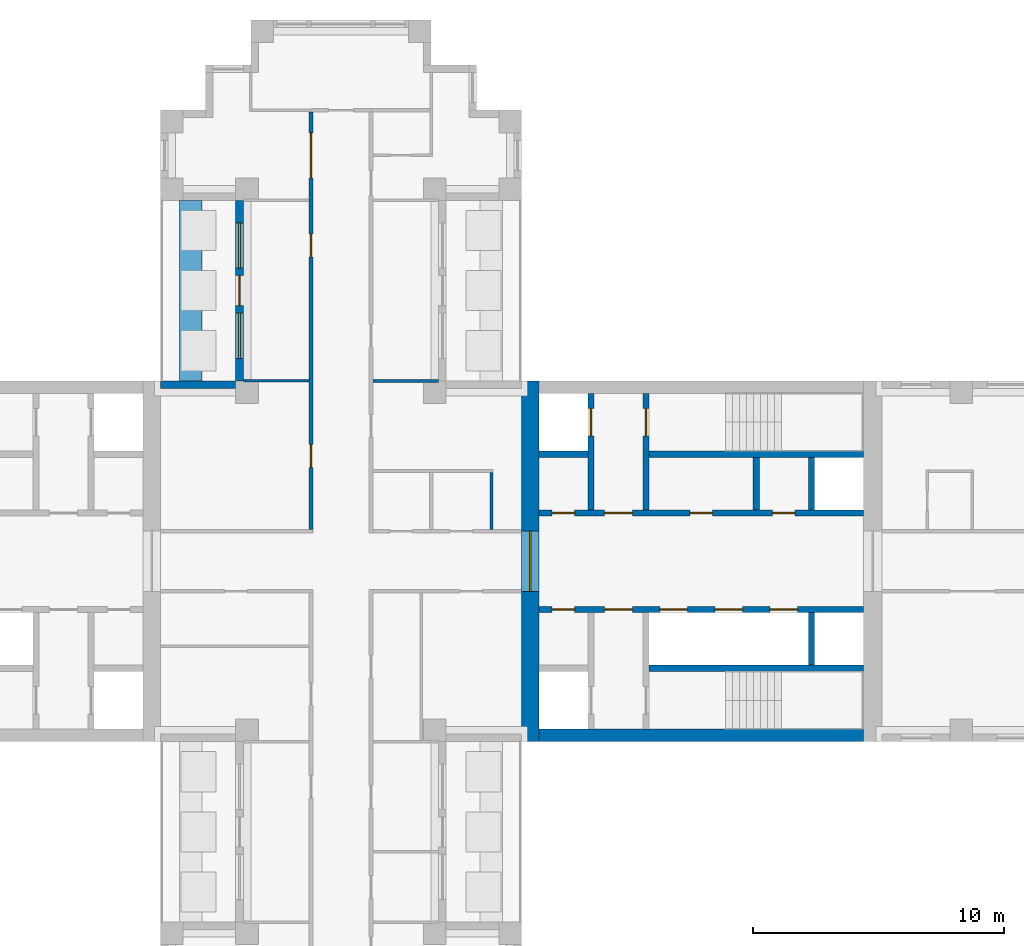
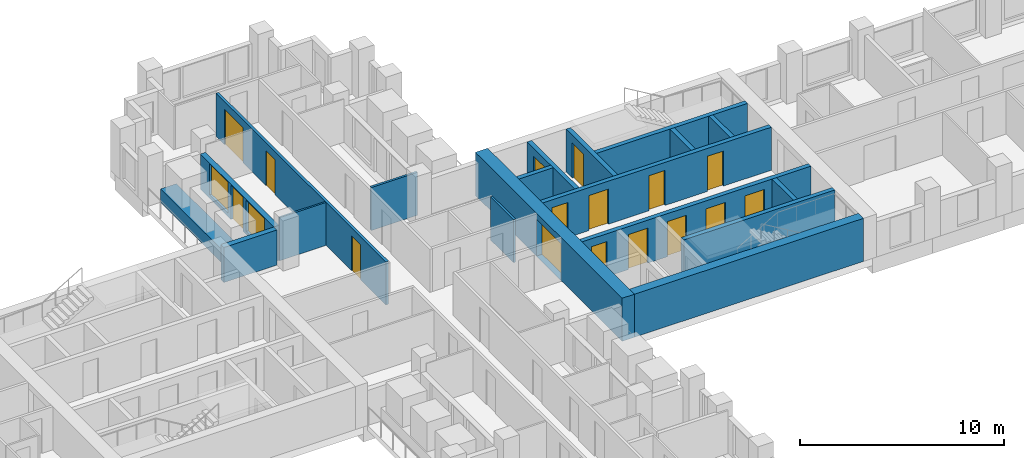
# One storey, part 8 of 13: 19 walls, 16 doors, 2 windows, 18 openings.
"""IFC4 building model written with IfcOpenShell, lengths in metres."""

from ifc_helpers import new_model, si_unit, direction, frame, frame_2d, origin, place, context, subcontext, project, spatial, rectangle, extrude, material, layer, layer_set, type_object, element, fill, save


model = new_model("IFC4")

# Units and contexts
model_context = context("Model", 3, precision=1e-05, world=origin(), true_north=direction((0.0, 1.0)))
body_context = subcontext(model_context, "Body", "Model", "MODEL_VIEW")
ifc_project = project(units=[si_unit("LENGTHUNIT", "METRE"), si_unit("AREAUNIT", "SQUARE_METRE"), si_unit("VOLUMEUNIT", "CUBIC_METRE"), si_unit("PLANEANGLEUNIT", "RADIAN"), si_unit("MASSUNIT", "GRAM", prefix="KILO")], contexts=[model_context])

# Site, building, storey
site_placement = place(None, origin())
site = spatial("IfcSite", under=ifc_project, at=site_placement, CompositionType="ELEMENT")
building_placement = place(site_placement, origin())
building = spatial("IfcBuilding", under=site, at=building_placement, Name="Fustian Cross Tower", CompositionType="ELEMENT")
storey_placement = place(building_placement, frame((0.0, 0.0, 84.89990234375)))
storey = spatial("IfcBuildingStorey", under=building, at=storey_placement, Name="L26", CompositionType="ELEMENT", Elevation=84.89990234375)

# Wall, openings, doors
ifc_material_1 = material(Name="Plasterboard on steel stud", Category="steel")
ifc_layer_1 = layer(ifc_material_1, 0.14990234375)
ifc_layer_set_1 = layer_set([ifc_layer_1], Name="Plasterboard on steel stud")
wall_type_1 = type_object("IfcWallType", Name="COMPARTMENT WALL 150 EI 60", PredefinedType="PARTITIONING", material=ifc_layer_set_1)
wall_1_placement = place(storey_placement, frame((-1.199951171875, 1.27490234375, 0.0), z_axis=(0.0, 0.0, 1.0), x_axis=(0.0, 1.0, 0.0)))
wall_1 = element("IfcWall", 1, at=wall_1_placement, inside=storey, type_object=wall_type_1, Name="Partition 39", PredefinedType="PARTITIONING", context=body_context, shape_type="SweptSolid", body=[
    extrude(rectangle(XDim=16.650146484375, YDim=0.14990234375, at=frame_2d((8.3251953125, 0.0))), origin(), (0.0, 0.0, 1.0), 2.5751953125),
])
opening_1_placement = place(wall_1_placement, frame((2.47509765625, 0.0, 0.0)))
opening_1 = element("IfcOpeningElement", 2, at=opening_1_placement, cuts=wall_1, Name="Opening D13004", PredefinedType="OPENING", context=body_context, shape_type="SweptSolid", body=[
    extrude(rectangle(XDim=0.89990234375, YDim=2.10009765625, at=frame_2d((0.449951171875, 1.050048828125))), frame((0.0, 0.0849609375, 0.0), z_axis=(0.0, -1.0, 0.0), x_axis=(1.0, 0.0, 0.0)), (0.0, 0.0, 1.0), 0.169921875),
])
opening_2_placement = place(wall_1_placement, frame((10.875, 0.0, 0.0)))
opening_2 = element("IfcOpeningElement", 3, at=opening_2_placement, cuts=wall_1, Name="Opening D13018", PredefinedType="OPENING", context=body_context, shape_type="SweptSolid", body=[
    extrude(rectangle(XDim=0.89990234375, YDim=2.10009765625, at=frame_2d((0.449951171875, 1.050048828125))), frame((0.0, 0.0849609375, 0.0), z_axis=(0.0, -1.0, 0.0), x_axis=(1.0, 0.0, 0.0)), (0.0, 0.0, 1.0), 0.169921875),
])
opening_3_placement = place(wall_1_placement, frame((14.02490234375, 0.0, 0.0)))
opening_3 = element("IfcOpeningElement", 4, at=opening_3_placement, cuts=wall_1, Name="Opening D13019", PredefinedType="OPENING", context=body_context, shape_type="SweptSolid", body=[
    extrude(rectangle(XDim=1.800048828125, YDim=2.10009765625, at=frame_2d((0.89990234375, 1.050048828125))), frame((0.0, 0.0849609375, 0.0), z_axis=(0.0, -1.0, 0.0), x_axis=(1.0, 0.0, 0.0)), (0.0, 0.0, 1.0), 0.169921875),
])
ifc_material_2 = material(Name="Timber fire door set", Category="wood")
door_type_1 = type_object("IfcDoorType", Name="FIRE DOUBLE DOOR 1800 FD30S", OperationType="DOUBLE_DOOR_DOUBLE_SWING", PredefinedType="DOOR", material=ifc_material_2)
door_1_placement = place(opening_3_placement, frame((1.800048828125, 0.0, 0.0), z_axis=(0.0, 0.0, 1.0), x_axis=(-1.0, 0.0, 0.0)))
door_1 = element("IfcDoor", 5, at=door_1_placement, inside=storey, type_object=door_type_1, Name="Door D13019", OperationType="DOUBLE_DOOR_DOUBLE_SWING", OverallHeight=2.10009765625, OverallWidth=1.800048828125, PredefinedType="DOOR", context=body_context, shape_type="SweptSolid", body=[
    extrude(rectangle(XDim=1.800048828125, YDim=2.10009765625, at=frame_2d((0.89990234375, 1.050048828125))), frame((0.0, 0.02490234375, 0.0), z_axis=(0.0, -1.0, 0.0), x_axis=(1.0, 0.0, 0.0)), (0.0, 0.0, 1.0), 0.050048828125),
])
fill(opening_3, door_1)
ifc_material_3 = material(Name="Timber fire door set", Category="wood")
door_type_2 = type_object("IfcDoorType", Name="FIRE SWING DOOR 900 FD30S", OperationType="SINGLE_SWING_LEFT", PredefinedType="DOOR", material=ifc_material_3)
door_2_placement = place(opening_1_placement, origin())
door_2 = element("IfcDoor", 6, at=door_2_placement, inside=storey, type_object=door_type_2, Name="Door D13004", OperationType="SINGLE_SWING_LEFT", OverallHeight=2.10009765625, OverallWidth=0.89990234375, PredefinedType="DOOR", context=body_context, shape_type="SweptSolid", body=[
    extrude(rectangle(XDim=0.89990234375, YDim=2.10009765625, at=frame_2d((0.449951171875, 1.050048828125))), frame((0.0, 0.02490234375, 0.0), z_axis=(0.0, -1.0, 0.0), x_axis=(1.0, 0.0, 0.0)), (0.0, 0.0, 1.0), 0.050048828125),
])
fill(opening_1, door_2)
door_3_placement = place(opening_2_placement, origin())
door_3 = element("IfcDoor", 7, at=door_3_placement, inside=storey, type_object=door_type_2, Name="Door D13018", OperationType="SINGLE_SWING_RIGHT", OverallHeight=2.10009765625, OverallWidth=0.89990234375, PredefinedType="DOOR", context=body_context, shape_type="SweptSolid", body=[
    extrude(rectangle(XDim=0.89990234375, YDim=2.10009765625, at=frame_2d((0.449951171875, 1.050048828125))), frame((0.0, 0.02490234375, 0.0), z_axis=(0.0, -1.0, 0.0), x_axis=(1.0, 0.0, 0.0)), (0.0, 0.0, 1.0), 0.050048828125),
])
fill(opening_2, door_3)

# Wall, opening, door
ifc_material_4 = material(Name="Concrete C70/85", Category="concrete")
ifc_layer_2 = layer(ifc_material_4, 0.699951171875)
ifc_layer_set_2 = layer_set([ifc_layer_2], Name="Concrete C70/85")
wall_type_2 = type_object("IfcWallType", Name="CORE END WALL 700 C70/85", PredefinedType="SHEAR", material=ifc_layer_set_2)
wall_2_placement = place(storey_placement, frame((7.550048828125, -7.199951171875, 0.0), z_axis=(0.0, 0.0, 1.0), x_axis=(0.0, 1.0, 0.0)))
wall_2 = element("IfcWall", 8, at=wall_2_placement, inside=storey, type_object=wall_type_2, Name="Core end wall", PredefinedType="SHEAR", context=body_context, shape_type="SweptSolid", body=[
    extrude(rectangle(XDim=14.39990234375, YDim=0.699951171875, at=frame_2d((7.199951171875, 0.0))), origin(), (0.0, 0.0, 1.0), 2.5751953125),
])
opening_4_placement = place(wall_2_placement, frame((6.0, 0.0, 0.0)))
opening_4 = element("IfcOpeningElement", 9, at=opening_4_placement, cuts=wall_2, Name="Opening CD-11-12", PredefinedType="OPENING", context=body_context, shape_type="SweptSolid", body=[
    extrude(rectangle(XDim=2.39990234375, YDim=2.199951171875, at=frame_2d((1.199951171875, 1.10009765625))), frame((0.0, 0.35986328125, 0.0), z_axis=(0.0, -1.0, 0.0), x_axis=(1.0, 0.0, 0.0)), (0.0, 0.0, 1.0), 0.719970703125),
])
ifc_material_5 = material(Name="Steel", Category="steel")
door_type_3 = type_object("IfcDoorType", Name="FIRE DOOR FD30S DOUBLE 2400X2200", OperationType="DOUBLE_DOOR_DOUBLE_SWING", PredefinedType="DOOR", material=ifc_material_5)
door_4_placement = place(opening_4_placement, frame((2.39990234375, 0.0, 0.0), z_axis=(0.0, 0.0, 1.0), x_axis=(-1.0, 0.0, 0.0)))
door_4 = element("IfcDoor", 10, at=door_4_placement, inside=storey, type_object=door_type_3, Name="Core door CD-11-12", OperationType="DOUBLE_DOOR_DOUBLE_SWING", OverallHeight=2.199951171875, OverallWidth=2.39990234375, PredefinedType="DOOR", context=body_context, shape_type="SweptSolid", body=[
    extrude(rectangle(XDim=2.39990234375, YDim=2.199951171875, at=frame_2d((1.199951171875, 1.10009765625))), frame((0.0, 0.02490234375, 0.0), z_axis=(0.0, -1.0, 0.0), x_axis=(1.0, 0.0, 0.0)), (0.0, 0.0, 1.0), 0.050048828125),
])
fill(opening_4, door_4)

# Wall
ifc_material_6 = material(Name="Concrete C70/85", Category="concrete")
ifc_layer_3 = layer(ifc_material_6, 0.5)
ifc_layer_set_3 = layer_set([ifc_layer_3], Name="Concrete C70/85")
wall_type_3 = type_object("IfcWallType", Name="CORE FACADE WALL 500 C70/85", PredefinedType="SHEAR", material=ifc_layer_set_3)
wall_3_placement = place(storey_placement, frame((7.89990234375, -6.949951171875, 0.0), z_axis=(0.0, 0.0, 1.0), x_axis=(1.0, 0.0, 0.0)))
element("IfcWall", 11, at=wall_3_placement, inside=storey, type_object=wall_type_3, Name="Core facade wall", PredefinedType="SHEAR", context=body_context, shape_type="SweptSolid", body=[
    extrude(rectangle(XDim=12.9501953125, YDim=0.5, at=frame_2d((6.47509765625, 0.0))), origin(), (0.0, 0.0, 1.0), 2.5751953125),
])

# Wall, openings, doors
ifc_material_7 = material(Name="Concrete C50/60", Category="concrete")
ifc_layer_4 = layer(ifc_material_7, 0.25)
ifc_layer_set_4 = layer_set([ifc_layer_4], Name="Concrete C50/60")
wall_type_4 = type_object("IfcWallType", Name="CORE LOBBY WALL 250 C50/60", PredefinedType="SHEAR", material=ifc_layer_set_4)
wall_4_placement = place(storey_placement, frame((7.89990234375, 1.925048828125, 0.0), z_axis=(0.0, 0.0, 1.0), x_axis=(1.0, 0.0, 0.0)))
wall_4 = element("IfcWall", 12, at=wall_4_placement, inside=storey, type_object=wall_type_4, Name="Core lobby wall", PredefinedType="SHEAR", context=body_context, shape_type="SweptSolid", body=[
    extrude(rectangle(XDim=12.9501953125, YDim=0.25, at=frame_2d((6.47509765625, 0.0))), origin(), (0.0, 0.0, 1.0), 2.5751953125),
])
opening_5_placement = place(wall_4_placement, frame((0.52490234375, 0.0, 0.0)))
opening_5 = element("IfcOpeningElement", 13, at=opening_5_placement, cuts=wall_4, Name="Opening CD-11-08", PredefinedType="OPENING", context=body_context, shape_type="SweptSolid", body=[
    extrude(rectangle(XDim=0.89990234375, YDim=2.10009765625, at=frame_2d((0.449951171875, 1.050048828125))), frame((0.0, 0.135009765625, 0.0), z_axis=(0.0, -1.0, 0.0), x_axis=(1.0, 0.0, 0.0)), (0.0, 0.0, 1.0), 0.27001953125),
])
opening_6_placement = place(wall_4_placement, frame((2.625, 0.0, 0.0)))
opening_6 = element("IfcOpeningElement", 14, at=opening_6_placement, cuts=wall_4, Name="Opening CD-11-10", PredefinedType="OPENING", context=body_context, shape_type="SweptSolid", body=[
    extrude(rectangle(XDim=1.10009765625, YDim=2.10009765625, at=frame_2d((0.550048828125, 1.050048828125))), frame((0.0, 0.135009765625, 0.0), z_axis=(0.0, -1.0, 0.0), x_axis=(1.0, 0.0, 0.0)), (0.0, 0.0, 1.0), 0.27001953125),
])
opening_7_placement = place(wall_4_placement, frame((6.02490234375, 0.0, 0.0)))
opening_7 = element("IfcOpeningElement", 15, at=opening_7_placement, cuts=wall_4, Name="Opening CD-11-14", PredefinedType="OPENING", context=body_context, shape_type="SweptSolid", body=[
    extrude(rectangle(XDim=0.89990234375, YDim=2.10009765625, at=frame_2d((0.449951171875, 1.050048828125))), frame((0.0, 0.135009765625, 0.0), z_axis=(0.0, -1.0, 0.0), x_axis=(1.0, 0.0, 0.0)), (0.0, 0.0, 1.0), 0.27001953125),
])
opening_8_placement = place(wall_4_placement, frame((9.324951171875, 0.0, 0.0)))
opening_8 = element("IfcOpeningElement", 16, at=opening_8_placement, cuts=wall_4, Name="Opening CD-11-15", PredefinedType="OPENING", context=body_context, shape_type="SweptSolid", body=[
    extrude(rectangle(XDim=0.89990234375, YDim=2.10009765625, at=frame_2d((0.449951171875, 1.050048828125))), frame((0.0, 0.135009765625, 0.0), z_axis=(0.0, -1.0, 0.0), x_axis=(1.0, 0.0, 0.0)), (0.0, 0.0, 1.0), 0.27001953125),
])
ifc_material_8 = material(Name="Steel", Category="steel")
door_type_4 = type_object("IfcDoorType", Name="FIRE DOOR FD30S 900X2100", OperationType="SINGLE_SWING_LEFT", PredefinedType="DOOR", material=ifc_material_8)
door_5_placement = place(opening_7_placement, origin())
door_5 = element("IfcDoor", 17, at=door_5_placement, inside=storey, type_object=door_type_4, Name="Core door CD-11-14", OperationType="SINGLE_SWING_RIGHT", OverallHeight=2.10009765625, OverallWidth=0.89990234375, PredefinedType="DOOR", context=body_context, shape_type="SweptSolid", body=[
    extrude(rectangle(XDim=0.89990234375, YDim=2.10009765625, at=frame_2d((0.449951171875, 1.050048828125))), frame((0.0, 0.02490234375, 0.0), z_axis=(0.0, -1.0, 0.0), x_axis=(1.0, 0.0, 0.0)), (0.0, 0.0, 1.0), 0.050048828125),
])
fill(opening_7, door_5)
door_6_placement = place(opening_8_placement, origin())
door_6 = element("IfcDoor", 18, at=door_6_placement, inside=storey, type_object=door_type_4, Name="Core door CD-11-15", OperationType="SINGLE_SWING_LEFT", OverallHeight=2.10009765625, OverallWidth=0.89990234375, PredefinedType="DOOR", context=body_context, shape_type="SweptSolid", body=[
    extrude(rectangle(XDim=0.89990234375, YDim=2.10009765625, at=frame_2d((0.449951171875, 1.050048828125))), frame((0.0, 0.02490234375, 0.0), z_axis=(0.0, -1.0, 0.0), x_axis=(1.0, 0.0, 0.0)), (0.0, 0.0, 1.0), 0.050048828125),
])
fill(opening_8, door_6)
ifc_material_9 = material(Name="Steel", Category="steel")
door_type_5 = type_object("IfcDoorType", Name="FIRE DOOR FD60S 1100X2100", OperationType="SINGLE_SWING_LEFT", PredefinedType="DOOR", material=ifc_material_9)
door_7_placement = place(opening_6_placement, frame((1.10009765625, 0.0, 0.0), z_axis=(0.0, 0.0, 1.0), x_axis=(-1.0, 0.0, 0.0)))
door_7 = element("IfcDoor", 19, at=door_7_placement, inside=storey, type_object=door_type_5, Name="Core door CD-11-10", OperationType="SINGLE_SWING_RIGHT", OverallHeight=2.10009765625, OverallWidth=1.10009765625, PredefinedType="DOOR", context=body_context, shape_type="SweptSolid", body=[
    extrude(rectangle(XDim=1.10009765625, YDim=2.10009765625, at=frame_2d((0.550048828125, 1.050048828125))), frame((0.0, 0.02490234375, 0.0), z_axis=(0.0, -1.0, 0.0), x_axis=(1.0, 0.0, 0.0)), (0.0, 0.0, 1.0), 0.050048828125),
])
fill(opening_6, door_7)
ifc_material_10 = material(Name="Steel", Category="steel")
door_type_6 = type_object("IfcDoorType", Name="FIRE DOOR FD60S 900X2100", OperationType="SINGLE_SWING_LEFT", PredefinedType="DOOR", material=ifc_material_10)
door_8_placement = place(opening_5_placement, origin())
door_8 = element("IfcDoor", 20, at=door_8_placement, inside=storey, type_object=door_type_6, Name="Core door CD-11-08", OperationType="SINGLE_SWING_LEFT", OverallHeight=2.10009765625, OverallWidth=0.89990234375, PredefinedType="DOOR", context=body_context, shape_type="SweptSolid", body=[
    extrude(rectangle(XDim=0.89990234375, YDim=2.10009765625, at=frame_2d((0.449951171875, 1.050048828125))), frame((0.0, 0.02490234375, 0.0), z_axis=(0.0, -1.0, 0.0), x_axis=(1.0, 0.0, 0.0)), (0.0, 0.0, 1.0), 0.050048828125),
])
fill(opening_5, door_8)

wall_5_placement = place(storey_placement, frame((7.89990234375, -1.925048828125, 0.0), z_axis=(0.0, 0.0, 1.0), x_axis=(1.0, 0.0, 0.0)))
wall_5 = element("IfcWall", 21, at=wall_5_placement, inside=storey, type_object=wall_type_4, Name="Core lobby wall", PredefinedType="SHEAR", context=body_context, shape_type="SweptSolid", body=[
    extrude(rectangle(XDim=12.9501953125, YDim=0.25, at=frame_2d((6.47509765625, 0.0))), origin(), (0.0, 0.0, 1.0), 2.5751953125),
])
opening_9_placement = place(wall_5_placement, frame((4.824951171875, 0.0, 0.0)))
opening_9 = element("IfcOpeningElement", 22, at=opening_9_placement, cuts=wall_5, Name="Opening LD", PredefinedType="OPENING", context=body_context, shape_type="SweptSolid", body=[
    extrude(rectangle(XDim=1.10009765625, YDim=2.10009765625, at=frame_2d((0.550048828125, 1.050048828125))), frame((0.0, 0.135009765625, 0.0), z_axis=(0.0, -1.0, 0.0), x_axis=(1.0, 0.0, 0.0)), (0.0, 0.0, 1.0), 0.27001953125),
])
opening_10_placement = place(wall_5_placement, frame((7.02490234375, 0.0, 0.0)))
opening_10 = element("IfcOpeningElement", 23, at=opening_10_placement, cuts=wall_5, Name="Opening LD", PredefinedType="OPENING", context=body_context, shape_type="SweptSolid", body=[
    extrude(rectangle(XDim=1.10009765625, YDim=2.10009765625, at=frame_2d((0.550048828125, 1.050048828125))), frame((0.0, 0.135009765625, 0.0), z_axis=(0.0, -1.0, 0.0), x_axis=(1.0, 0.0, 0.0)), (0.0, 0.0, 1.0), 0.27001953125),
])
opening_11_placement = place(wall_5_placement, frame((9.22509765625, 0.0, 0.0)))
opening_11 = element("IfcOpeningElement", 24, at=opening_11_placement, cuts=wall_5, Name="Opening LD", PredefinedType="OPENING", context=body_context, shape_type="SweptSolid", body=[
    extrude(rectangle(XDim=1.10009765625, YDim=2.10009765625, at=frame_2d((0.550048828125, 1.050048828125))), frame((0.0, 0.135009765625, 0.0), z_axis=(0.0, -1.0, 0.0), x_axis=(1.0, 0.0, 0.0)), (0.0, 0.0, 1.0), 0.27001953125),
])
opening_12_placement = place(wall_5_placement, frame((0.52490234375, 0.0, 0.0)))
opening_12 = element("IfcOpeningElement", 25, at=opening_12_placement, cuts=wall_5, Name="Opening CD-11-09", PredefinedType="OPENING", context=body_context, shape_type="SweptSolid", body=[
    extrude(rectangle(XDim=0.89990234375, YDim=2.10009765625, at=frame_2d((0.449951171875, 1.050048828125))), frame((0.0, 0.135009765625, 0.0), z_axis=(0.0, -1.0, 0.0), x_axis=(1.0, 0.0, 0.0)), (0.0, 0.0, 1.0), 0.27001953125),
])
opening_13_placement = place(wall_5_placement, frame((2.625, 0.0, 0.0)))
opening_13 = element("IfcOpeningElement", 26, at=opening_13_placement, cuts=wall_5, Name="Opening CD-11-11", PredefinedType="OPENING", context=body_context, shape_type="SweptSolid", body=[
    extrude(rectangle(XDim=1.10009765625, YDim=2.10009765625, at=frame_2d((0.550048828125, 1.050048828125))), frame((0.0, 0.135009765625, 0.0), z_axis=(0.0, -1.0, 0.0), x_axis=(1.0, 0.0, 0.0)), (0.0, 0.0, 1.0), 0.27001953125),
])
ifc_material_11 = material(Name="Steel", Category="steel")
door_type_7 = type_object("IfcDoorType", Name="FIRE DOOR FD30S 1100X2100", OperationType="SINGLE_SWING_LEFT", PredefinedType="DOOR", material=ifc_material_11)
door_9_placement = place(opening_13_placement, frame((1.10009765625, 0.0, 0.0), z_axis=(0.0, 0.0, 1.0), x_axis=(-1.0, 0.0, 0.0)))
door_9 = element("IfcDoor", 27, at=door_9_placement, inside=storey, type_object=door_type_7, Name="Core door CD-11-11", OperationType="SINGLE_SWING_RIGHT", OverallHeight=2.10009765625, OverallWidth=1.10009765625, PredefinedType="DOOR", context=body_context, shape_type="SweptSolid", body=[
    extrude(rectangle(XDim=1.10009765625, YDim=2.10009765625, at=frame_2d((0.550048828125, 1.050048828125))), frame((0.0, 0.02490234375, 0.0), z_axis=(0.0, -1.0, 0.0), x_axis=(1.0, 0.0, 0.0)), (0.0, 0.0, 1.0), 0.050048828125),
])
fill(opening_13, door_9)
door_10_placement = place(opening_12_placement, frame((0.89990234375, 0.0, 0.0), z_axis=(0.0, 0.0, 1.0), x_axis=(-1.0, 0.0, 0.0)))
door_10 = element("IfcDoor", 28, at=door_10_placement, inside=storey, type_object=door_type_4, Name="Core door CD-11-09", OperationType="SINGLE_SWING_RIGHT", OverallHeight=2.10009765625, OverallWidth=0.89990234375, PredefinedType="DOOR", context=body_context, shape_type="SweptSolid", body=[
    extrude(rectangle(XDim=0.89990234375, YDim=2.10009765625, at=frame_2d((0.449951171875, 1.050048828125))), frame((0.0, 0.02490234375, 0.0), z_axis=(0.0, -1.0, 0.0), x_axis=(1.0, 0.0, 0.0)), (0.0, 0.0, 1.0), 0.050048828125),
])
fill(opening_12, door_10)
ifc_material_12 = material(Name="Stainless steel", Category="steel")
door_type_8 = type_object("IfcDoorType", Name="LIFT LANDING DOOR 1100X2100", OperationType="SLIDING_TO_LEFT", PredefinedType="DOOR", material=ifc_material_12)
door_11_placement = place(opening_9_placement, origin())
door_11 = element("IfcDoor", 29, at=door_11_placement, inside=storey, type_object=door_type_8, Name="Landing door LR1", OperationType="SLIDING_TO_LEFT", OverallHeight=2.10009765625, OverallWidth=1.10009765625, PredefinedType="DOOR", context=body_context, shape_type="SweptSolid", body=[
    extrude(rectangle(XDim=1.10009765625, YDim=2.10009765625, at=frame_2d((0.550048828125, 1.050048828125))), frame((0.0, 0.02490234375, 0.0), z_axis=(0.0, -1.0, 0.0), x_axis=(1.0, 0.0, 0.0)), (0.0, 0.0, 1.0), 0.050048828125),
])
fill(opening_9, door_11)
door_12_placement = place(opening_10_placement, origin())
door_12 = element("IfcDoor", 30, at=door_12_placement, inside=storey, type_object=door_type_8, Name="Landing door LR2", OperationType="SLIDING_TO_LEFT", OverallHeight=2.10009765625, OverallWidth=1.10009765625, PredefinedType="DOOR", context=body_context, shape_type="SweptSolid", body=[
    extrude(rectangle(XDim=1.10009765625, YDim=2.10009765625, at=frame_2d((0.550048828125, 1.050048828125))), frame((0.0, 0.02490234375, 0.0), z_axis=(0.0, -1.0, 0.0), x_axis=(1.0, 0.0, 0.0)), (0.0, 0.0, 1.0), 0.050048828125),
])
fill(opening_10, door_12)
door_13_placement = place(opening_11_placement, origin())
door_13 = element("IfcDoor", 31, at=door_13_placement, inside=storey, type_object=door_type_8, Name="Landing door LR3", OperationType="SLIDING_TO_LEFT", OverallHeight=2.10009765625, OverallWidth=1.10009765625, PredefinedType="DOOR", context=body_context, shape_type="SweptSolid", body=[
    extrude(rectangle(XDim=1.10009765625, YDim=2.10009765625, at=frame_2d((0.550048828125, 1.050048828125))), frame((0.0, 0.02490234375, 0.0), z_axis=(0.0, -1.0, 0.0), x_axis=(1.0, 0.0, 0.0)), (0.0, 0.0, 1.0), 0.050048828125),
])
fill(opening_11, door_13)

# Walls
ifc_material_13 = material(Name="Concrete C50/60", Category="concrete")
ifc_layer_5 = layer(ifc_material_13, 0.25)
ifc_layer_set_5 = layer_set([ifc_layer_5], Name="Concrete C50/60")
wall_type_5 = type_object("IfcWallType", Name="CORE SHAFT WALL 250 C50/60", PredefinedType="SHEAR", material=ifc_layer_set_5)
wall_6_placement = place(storey_placement, frame((7.89990234375, 4.27490234375, 0.0), z_axis=(0.0, 0.0, 1.0), x_axis=(1.0, 0.0, 0.0)))
element("IfcWall", 32, at=wall_6_placement, inside=storey, type_object=wall_type_5, Name="Core shaft wall", PredefinedType="SHEAR", context=body_context, shape_type="SweptSolid", body=[
    extrude(rectangle(XDim=1.9501953125, YDim=0.25, at=frame_2d((0.97509765625, 0.0))), origin(), (0.0, 0.0, 1.0), 2.5751953125),
])
wall_7_placement = place(storey_placement, frame((12.300048828125, 4.27490234375, 0.0), z_axis=(0.0, 0.0, 1.0), x_axis=(1.0, 0.0, 0.0)))
element("IfcWall", 33, at=wall_7_placement, inside=storey, type_object=wall_type_5, Name="Core shaft wall", PredefinedType="SHEAR", context=body_context, shape_type="SweptSolid", body=[
    extrude(rectangle(XDim=8.550048828125, YDim=0.25, at=frame_2d((4.27490234375, 0.0))), origin(), (0.0, 0.0, 1.0), 2.5751953125),
])

# Wall, opening, door
wall_8_placement = place(storey_placement, frame((9.97509765625, 2.050048828125, 0.0), z_axis=(0.0, 0.0, 1.0), x_axis=(0.0, 1.0, 0.0)))
wall_8 = element("IfcWall", 34, at=wall_8_placement, inside=storey, type_object=wall_type_5, Name="Core shaft wall", PredefinedType="SHEAR", context=body_context, shape_type="SweptSolid", body=[
    extrude(rectangle(XDim=4.64990234375, YDim=0.25, at=frame_2d((2.324951171875, 0.0))), origin(), (0.0, 0.0, 1.0), 2.5751953125),
])
opening_14_placement = place(wall_8_placement, frame((2.949951171875, 0.0, 0.0)))
opening_14 = element("IfcOpeningElement", 35, at=opening_14_placement, cuts=wall_8, Name="Opening LD", PredefinedType="OPENING", context=body_context, shape_type="SweptSolid", body=[
    extrude(rectangle(XDim=1.10009765625, YDim=2.10009765625, at=frame_2d((0.550048828125, 1.050048828125))), frame((0.0, 0.135009765625, 0.0), z_axis=(0.0, -1.0, 0.0), x_axis=(1.0, 0.0, 0.0)), (0.0, 0.0, 1.0), 0.27001953125),
])
door_14_placement = place(opening_14_placement, origin())
door_14 = element("IfcDoor", 36, at=door_14_placement, inside=storey, type_object=door_type_8, Name="Landing door FL1", OperationType="SLIDING_TO_LEFT", OverallHeight=2.10009765625, OverallWidth=1.10009765625, PredefinedType="DOOR", context=body_context, shape_type="SweptSolid", body=[
    extrude(rectangle(XDim=1.10009765625, YDim=2.10009765625, at=frame_2d((0.550048828125, 1.050048828125))), frame((0.0, 0.02490234375, 0.0), z_axis=(0.0, -1.0, 0.0), x_axis=(1.0, 0.0, 0.0)), (0.0, 0.0, 1.0), 0.050048828125),
])
fill(opening_14, door_14)

wall_9_placement = place(storey_placement, frame((12.175048828125, 2.050048828125, 0.0), z_axis=(0.0, 0.0, 1.0), x_axis=(0.0, 1.0, 0.0)))
wall_9 = element("IfcWall", 37, at=wall_9_placement, inside=storey, type_object=wall_type_5, Name="Core shaft wall", PredefinedType="SHEAR", context=body_context, shape_type="SweptSolid", body=[
    extrude(rectangle(XDim=4.64990234375, YDim=0.25, at=frame_2d((2.324951171875, 0.0))), origin(), (0.0, 0.0, 1.0), 2.5751953125),
])
opening_15_placement = place(wall_9_placement, frame((2.949951171875, 0.0, 0.0)))
opening_15 = element("IfcOpeningElement", 38, at=opening_15_placement, cuts=wall_9, Name="Opening CD-11-06", PredefinedType="OPENING", context=body_context, shape_type="SweptSolid", body=[
    extrude(rectangle(XDim=1.10009765625, YDim=2.10009765625, at=frame_2d((0.550048828125, 1.050048828125))), frame((0.0, 0.135009765625, 0.0), z_axis=(0.0, -1.0, 0.0), x_axis=(1.0, 0.0, 0.0)), (0.0, 0.0, 1.0), 0.27001953125),
])
door_15_placement = place(opening_15_placement, frame((1.10009765625, 0.0, 0.0), z_axis=(0.0, 0.0, 1.0), x_axis=(-1.0, 0.0, 0.0)))
door_15 = element("IfcDoor", 39, at=door_15_placement, inside=storey, type_object=door_type_5, Name="Core door CD-11-06", OperationType="SINGLE_SWING_RIGHT", OverallHeight=2.10009765625, OverallWidth=1.10009765625, PredefinedType="DOOR", context=body_context, shape_type="SweptSolid", body=[
    extrude(rectangle(XDim=1.10009765625, YDim=2.10009765625, at=frame_2d((0.550048828125, 1.050048828125))), frame((0.0, 0.02490234375, 0.0), z_axis=(0.0, -1.0, 0.0), x_axis=(1.0, 0.0, 0.0)), (0.0, 0.0, 1.0), 0.050048828125),
])
fill(opening_15, door_15)

# Walls
wall_10_placement = place(storey_placement, frame((12.300048828125, -4.27490234375, 0.0), z_axis=(0.0, 0.0, 1.0), x_axis=(1.0, 0.0, 0.0)))
element("IfcWall", 40, at=wall_10_placement, inside=storey, type_object=wall_type_5, Name="Core shaft wall", PredefinedType="SHEAR", context=body_context, shape_type="SweptSolid", body=[
    extrude(rectangle(XDim=8.550048828125, YDim=0.25, at=frame_2d((4.27490234375, 0.0))), origin(), (0.0, 0.0, 1.0), 2.5751953125),
])
ifc_material_14 = material(Name="Plasterboard on steel stud", Category="steel")
ifc_layer_6 = layer(ifc_material_14, 0.10009765625)
ifc_layer_set_6 = layer_set([ifc_layer_6], Name="Plasterboard on steel stud")
wall_type_6 = type_object("IfcWallType", Name="PARTITION 100 STUD", PredefinedType="PARTITIONING", material=ifc_layer_set_6)
wall_11_placement = place(storey_placement, frame((-3.89990234375, 7.199951171875, 0.0), z_axis=(0.0, 0.0, 1.0), x_axis=(1.0, 0.0, 0.0)))
element("IfcWall", 41, at=wall_11_placement, inside=storey, type_object=wall_type_6, Name="Partition 33", PredefinedType="PARTITIONING", context=body_context, shape_type="SweptSolid", body=[
    extrude(rectangle(XDim=2.625, YDim=0.10009765625, at=frame_2d((1.3125, 0.0))), origin(), (0.0, 0.0, 1.0), 2.5751953125),
])
ifc_material_15 = material(Name="Concrete C40/50", Category="concrete")
ifc_layer_7 = layer(ifc_material_15, 0.89990234375)
ifc_layer_set_7 = layer_set([ifc_layer_7], Name="Concrete C40/50")
wall_type_7 = type_object("IfcWallType", Name="PK1 PLANTER 900", PredefinedType="PARAPET", material=ifc_layer_set_7)
wall_12_placement = place(storey_placement, frame((-6.0, 7.199951171875, 0.0), z_axis=(0.0, 0.0, 1.0), x_axis=(0.0, 1.0, 0.0)))
element("IfcWall", 42, at=wall_12_placement, inside=storey, type_object=wall_type_7, Name="PLANTER", PredefinedType="PARAPET", context=body_context, shape_type="SweptSolid", body=[
    extrude(rectangle(XDim=7.199951171875, YDim=0.89990234375, at=frame_2d((3.60009765625, 0.0))), origin(), (0.0, 0.0, 1.0), 0.800048828125),
])
ifc_material_16 = material(Name="Concrete C40/50", Category="concrete")
ifc_layer_8 = layer(ifc_material_16, 0.25)
ifc_layer_set_8 = layer_set([ifc_layer_8], Name="Concrete C40/50")
wall_type_8 = type_object("IfcWallType", Name="SHAFT PARTITION WALL 250 C40/50", PredefinedType="PARTITIONING", material=ifc_layer_set_8)
for number, where, z_axis, x_axis, name in (
    (43, (16.574951171875, 2.050048828125, 0.0), (0.0, 0.0, 1.0), (0.0, 1.0, 0.0), "Core shaft wall"),
    (44, (18.77490234375, 2.050048828125, 0.0), (0.0, 0.0, 1.0), (0.0, 1.0, 0.0), "Core shaft wall"),
    (45, (18.77490234375, -2.050048828125, 0.0), (0.0, 0.0, 1.0), (0.0, -1.0, 0.0), "Core shaft wall"),
):
    element("IfcWall", number, at=place(storey_placement, frame(where, z_axis=z_axis, x_axis=x_axis)), inside=storey, type_object=wall_type_8, Name=name, PredefinedType="PARTITIONING", context=body_context, shape_type="SweptSolid", body=[
        extrude(rectangle(XDim=2.099853515625, YDim=0.25, at=frame_2d((1.0498046875, 0.0))), origin(), (0.0, 0.0, 1.0), 2.5751953125),
    ])
ifc_material_17 = material(Name="Plasterboard on steel stud", Category="steel")
ifc_layer_9 = layer(ifc_material_17, 0.125)
ifc_layer_set_9 = layer_set([ifc_layer_9], Name="Plasterboard on steel stud")
wall_type_9 = type_object("IfcWallType", Name="WET WALL 125 STUD", PredefinedType="PARTITIONING", material=ifc_layer_set_9)
wall_13_placement = place(storey_placement, frame((1.27490234375, 7.199951171875, 0.0), z_axis=(0.0, 0.0, 1.0), x_axis=(1.0, 0.0, 0.0)))
element("IfcWall", 46, at=wall_13_placement, inside=storey, type_object=wall_type_9, Name="Partition 52", PredefinedType="PARTITIONING", context=body_context, shape_type="SweptSolid", body=[
    extrude(rectangle(XDim=2.625, YDim=0.125, at=frame_2d((1.3125, 0.0))), origin(), (0.0, 0.0, 1.0), 2.5751953125),
])
wall_14_placement = place(storey_placement, frame((6.0, 1.27490234375, 0.0), z_axis=(0.0, 0.0, 1.0), x_axis=(0.0, 1.0, 0.0)))
element("IfcWall", 47, at=wall_14_placement, inside=storey, type_object=wall_type_9, Name="Partition 69", PredefinedType="PARTITIONING", context=body_context, shape_type="SweptSolid", body=[
    extrude(rectangle(XDim=2.2626953125, YDim=0.125, at=frame_2d((1.13134765625, 0.0))), origin(), (0.0, 0.0, 1.0), 2.5751953125),
])

# Wall, openings, door, windows
ifc_material_18 = material(Name="Dark aluminium cladding on insulated backing wall", Category="aluminium")
ifc_layer_10 = layer(ifc_material_18, 0.300048828125)
ifc_layer_set_10 = layer_set([ifc_layer_10], Name="Dark aluminium cladding on insulated backing wall")
wall_type_10 = type_object("IfcWallType", Name="XW1 EXTERNAL WALL 300", PredefinedType="SOLIDWALL", material=ifc_layer_set_10)
wall_15_placement = place(storey_placement, frame((-4.050048828125, 14.39990234375, 0.0), z_axis=(0.0, 0.0, 1.0), x_axis=(0.0, -1.0, 0.0)))
wall_15 = element("IfcWall", 48, at=wall_15_placement, inside=storey, type_object=wall_type_10, Name="External wall", PredefinedType="SOLIDWALL", context=body_context, shape_type="SweptSolid", body=[
    extrude(rectangle(XDim=7.199951171875, YDim=0.300048828125, at=frame_2d((3.60009765625, 0.0))), origin(), (0.0, 0.0, 1.0), 2.10009765625),
])
opening_16_placement = place(wall_15_placement, frame((3.0, 0.0, 0.0)))
opening_16 = element("IfcOpeningElement", 49, at=opening_16_placement, cuts=wall_15, Name="Opening XD2", PredefinedType="OPENING", context=body_context, shape_type="SweptSolid", body=[
    extrude(rectangle(XDim=1.199951171875, YDim=2.050048828125, at=frame_2d((0.60009765625, 1.02490234375))), frame((0.0, 0.159912109375, 0.0), z_axis=(0.0, -1.0, 0.0), x_axis=(1.0, 0.0, 0.0)), (0.0, 0.0, 1.0), 0.320068359375),
])
opening_17_placement = place(wall_15_placement, frame((0.89990234375, 0.0, 0.199951171875)))
opening_17 = element("IfcOpeningElement", 50, at=opening_17_placement, cuts=wall_15, Name="Opening WN2", PredefinedType="OPENING", context=body_context, shape_type="SweptSolid", body=[
    extrude(rectangle(XDim=1.800048828125, YDim=1.85009765625, at=frame_2d((0.89990234375, 0.925048828125))), frame((0.0, 0.159912109375, 0.0), z_axis=(0.0, -1.0, 0.0), x_axis=(1.0, 0.0, 0.0)), (0.0, 0.0, 1.0), 0.320068359375),
])
opening_18_placement = place(wall_15_placement, frame((4.5, 0.0, 0.199951171875)))
opening_18 = element("IfcOpeningElement", 51, at=opening_18_placement, cuts=wall_15, Name="Opening WN2", PredefinedType="OPENING", context=body_context, shape_type="SweptSolid", body=[
    extrude(rectangle(XDim=1.800048828125, YDim=1.85009765625, at=frame_2d((0.89990234375, 0.925048828125))), frame((0.0, 0.159912109375, 0.0), z_axis=(0.0, -1.0, 0.0), x_axis=(1.0, 0.0, 0.0)), (0.0, 0.0, 1.0), 0.320068359375),
])
ifc_material_19 = material(Name="Dark anodised aluminium and double glazing", Category="aluminium")
door_type_9 = type_object("IfcDoorType", Name="ED1 BALCONY DOOR 1200X2050", OperationType="SINGLE_SWING_LEFT", PredefinedType="DOOR", material=ifc_material_19)
door_16_placement = place(opening_16_placement, origin())
door_16 = element("IfcDoor", 52, at=door_16_placement, inside=storey, type_object=door_type_9, Name="Balcony door", OperationType="SINGLE_SWING_LEFT", OverallHeight=2.050048828125, OverallWidth=1.199951171875, PredefinedType="DOOR", context=body_context, shape_type="SweptSolid", body=[
    extrude(rectangle(XDim=1.199951171875, YDim=2.050048828125, at=frame_2d((0.60009765625, 1.02490234375))), frame((0.0, 0.02490234375, 0.0), z_axis=(0.0, -1.0, 0.0), x_axis=(1.0, 0.0, 0.0)), (0.0, 0.0, 1.0), 0.050048828125),
])
fill(opening_16, door_16)
ifc_material_20 = material(Name="Dark anodised aluminium and double glazing", Category="aluminium")
window_type = type_object("IfcWindowType", Name="WN2 WINDOW 1800X1850", PartitioningType="SINGLE_PANEL", PredefinedType="WINDOW", material=ifc_material_20)
window_1_placement = place(opening_17_placement, origin())
window_1 = element("IfcWindow", 53, at=window_1_placement, inside=storey, type_object=window_type, Name="Window", OverallHeight=1.85009765625, OverallWidth=1.800048828125, PartitioningType="SINGLE_PANEL", PredefinedType="WINDOW", context=body_context, shape_type="SweptSolid", body=[
    extrude(rectangle(XDim=1.800048828125, YDim=1.85009765625, at=frame_2d((0.89990234375, 0.925048828125))), frame((0.0, 0.030029296875, 0.0), z_axis=(0.0, -1.0, 0.0), x_axis=(1.0, 0.0, 0.0)), (0.0, 0.0, 1.0), 0.06005859375),
])
fill(opening_17, window_1)
window_2_placement = place(opening_18_placement, origin())
window_2 = element("IfcWindow", 54, at=window_2_placement, inside=storey, type_object=window_type, Name="Window", OverallHeight=1.85009765625, OverallWidth=1.800048828125, PartitioningType="SINGLE_PANEL", PredefinedType="WINDOW", context=body_context, shape_type="SweptSolid", body=[
    extrude(rectangle(XDim=1.800048828125, YDim=1.85009765625, at=frame_2d((0.89990234375, 0.925048828125))), frame((0.0, 0.030029296875, 0.0), z_axis=(0.0, -1.0, 0.0), x_axis=(1.0, 0.0, 0.0)), (0.0, 0.0, 1.0), 0.06005859375),
])
fill(opening_18, window_2)

# Wall
wall_16_placement = place(storey_placement, frame((-4.199951171875, 7.050048828125, 0.0), z_axis=(0.0, 0.0, 1.0), x_axis=(-1.0, 0.0, 0.0)))
element("IfcWall", 55, at=wall_16_placement, inside=storey, type_object=wall_type_10, Name="External wall", PredefinedType="SOLIDWALL", context=body_context, shape_type="SweptSolid", body=[
    extrude(rectangle(XDim=3.0, YDim=0.300048828125, at=frame_2d((1.5, 0.0))), origin(), (0.0, 0.0, 1.0), 2.10009765625),
])

save(model, "model.ifc")
